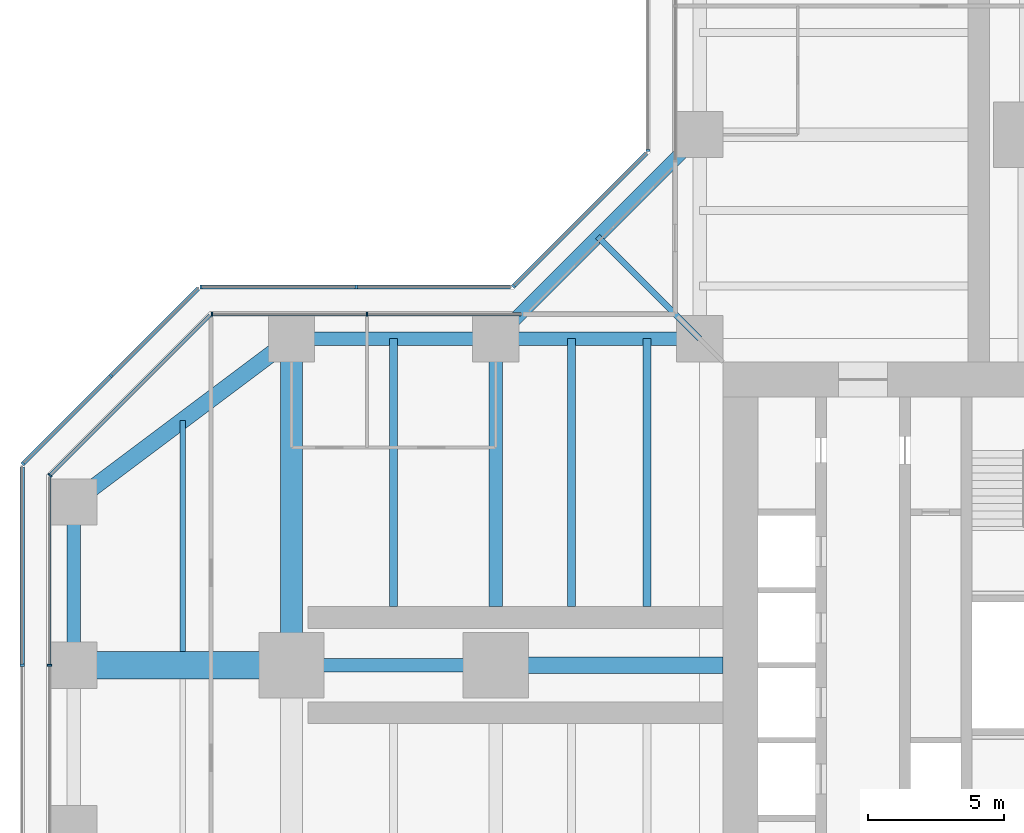
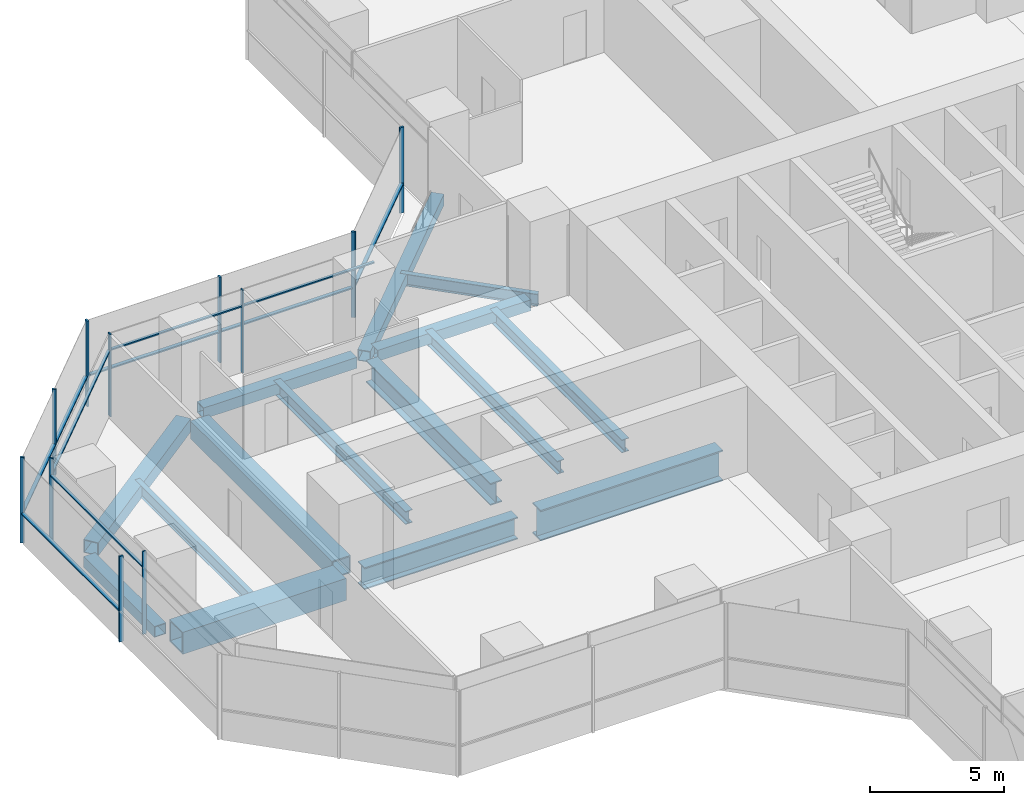
# One storey, part 8 of 22: 21 members, 15 beams, 8 elements without a shape of their own.
"""IFC4 building model written with IfcOpenShell, lengths in metres."""

from ifc_helpers import new_model, si_unit, direction, frame, origin, origin_2d, place, context, subcontext, project, spatial, rectangle, hollow_rectangle, i_section, extrude, material, material_profile, profile_set, type_object, element, aggregate, save


model = new_model("IFC4")

# Units and contexts
model_context = context("Model", 3, precision=1e-05, world=origin(), true_north=direction((0.0, 1.0)))
body_context = subcontext(model_context, "Body", "Model", "MODEL_VIEW")
ifc_project = project(units=[si_unit("LENGTHUNIT", "METRE"), si_unit("AREAUNIT", "SQUARE_METRE"), si_unit("VOLUMEUNIT", "CUBIC_METRE"), si_unit("PLANEANGLEUNIT", "RADIAN"), si_unit("MASSUNIT", "GRAM", prefix="KILO")], contexts=[model_context])

# Site, building, storey
site_placement = place(None, origin())
site = spatial("IfcSite", under=ifc_project, at=site_placement, CompositionType="ELEMENT")
building_placement = place(site_placement, origin())
building = spatial("IfcBuilding", under=site, at=building_placement, Name="Mizan Broadcast Tower", CompositionType="ELEMENT")
storey_placement = place(building_placement, frame((0.0, 0.0, 78.60009765625)))
storey = spatial("IfcBuildingStorey", under=building, at=storey_placement, Name="L16", CompositionType="ELEMENT", Elevation=78.60009765625)

# Beams
ifc_material_1 = material(Name="Steel S355", Category="steel")
ifc_material_profile_1 = material_profile(ifc_material_1, hollow_rectangle(XDim=0.5, YDim=0.5, WallThickness=0.030029296875, at=origin_2d()), Name="BOX 500x500x30")
ifc_profile_set_1 = profile_set([ifc_material_profile_1], Name="Steel S355")
beam_type_1 = type_object("IfcBeamType", Name="EDGE BEAM BOX 500x500x30", PredefinedType="SPANDREL", material=ifc_profile_set_1)
for number, where, z_axis, x_axis, name in (
    (1, (-12.449951171875, 12.0, -0.380126953125), (-1.0, 0.0, 0.0), (0.0, -1.0, 0.0), "Edge beam BOX 500x500x30 L16 west arm"),
    (2, (-19.949951171875, 12.0, -0.380126953125), (-1.0, 0.0, 0.0), (0.0, -1.0, 0.0), "Edge beam BOX 500x500x30 L16 west arm"),
):
    element("IfcBeam", number, at=place(storey_placement, frame(where, z_axis=z_axis, x_axis=x_axis)), inside=storey, type_object=beam_type_1, Name=name, PredefinedType="SPANDREL", context=body_context, shape_type="SweptSolid", body=[
        extrude(hollow_rectangle(XDim=0.5, YDim=0.5, WallThickness=0.030029296875, at=origin_2d()), origin(), (0.0, 0.0, 1.0), 6.60009765625),
    ])
beam_1_placement = place(storey_placement, frame((-35.0, 5.639892578125, -0.380126953125), z_axis=(0.0, -1.0, 0.0), x_axis=(1.0, 0.0, 0.0)))
element("IfcBeam", 3, at=beam_1_placement, inside=storey, type_object=beam_type_1, Name="Edge beam BOX 500x500x30 L16 west arm", PredefinedType="SPANDREL", context=body_context, shape_type="SweptSolid", body=[
    extrude(hollow_rectangle(XDim=0.5, YDim=0.5, WallThickness=0.030029296875, at=origin_2d()), origin(), (0.0, 0.0, 1.0), 5.27978515625),
])
beam_2_placement = place(storey_placement, frame((-12.0, 19.5, -0.380126953125), z_axis=(-0.707106781187, -0.707106781187, 0.0), x_axis=(0.707106781187, -0.707106781187, 0.0)))
element("IfcBeam", 4, at=beam_2_placement, inside=storey, type_object=beam_type_1, Name="Winter garden edge beam L16 N", PredefinedType="SPANDREL", context=body_context, shape_type="SweptSolid", body=[
    extrude(hollow_rectangle(XDim=0.5, YDim=0.5, WallThickness=0.030029296875, at=origin_2d()), origin(), (0.0, 0.0, 1.0), 10.606689453125),
])
ifc_material_2 = material(Name="Steel S355", Category="steel")
ifc_material_profile_2 = material_profile(ifc_material_2, hollow_rectangle(XDim=0.60009765625, YDim=0.60009765625, WallThickness=0.030029296875, at=origin_2d()), Name="BOX 600x600x30")
ifc_profile_set_2 = profile_set([ifc_material_profile_2], Name="Steel S355")
beam_type_2 = type_object("IfcBeamType", Name="EDGE BEAM BOX 600x600x30", PredefinedType="SPANDREL", material=ifc_profile_set_2)
beam_3_placement = place(storey_placement, frame((-27.47998046875, 11.639892578125, -0.43017578125), z_axis=(-0.800013316712, -0.599982243973, 0.0), x_axis=(0.599982243973, -0.800013316712, 0.0)))
element("IfcBeam", 5, at=beam_3_placement, inside=storey, type_object=beam_type_2, Name="Edge beam BOX 600x600x30 L16 west arm", PredefinedType="SPANDREL", context=body_context, shape_type="SweptSolid", body=[
    extrude(hollow_rectangle(XDim=0.60009765625, YDim=0.60009765625, WallThickness=0.030029296875, at=origin_2d()), origin(), (0.0, 0.0, 1.0), 8.7998046875),
])
ifc_material_3 = material(Name="Steel S460", Category="steel")
ifc_material_profile_3 = material_profile(ifc_material_3, hollow_rectangle(XDim=1.0, YDim=1.0, WallThickness=0.06005859375, at=origin_2d()), Name="BOX 1000x1000x60")
ifc_profile_set_3 = profile_set([ifc_material_profile_3], Name="Steel S460")
beam_type_3 = type_object("IfcBeamType", Name="GIRDER BOX 1000x1000x60", PredefinedType="BEAM", material=ifc_profile_set_3)
beam_4_placement = place(storey_placement, frame((-27.47998046875, 0.0, -0.630126953125), z_axis=(-1.0, 0.0, 0.0), x_axis=(0.0, -1.0, 0.0)))
element("IfcBeam", 6, at=beam_4_placement, inside=storey, type_object=beam_type_3, Name="Girder BOX 1000x1000x60 L16 west arm", PredefinedType="BEAM", context=body_context, shape_type="SweptSolid", body=[
    extrude(hollow_rectangle(XDim=1.0, YDim=1.0, WallThickness=0.06005859375, at=origin_2d()), origin(), (0.0, 0.0, 1.0), 7.0400390625),
])
ifc_material_4 = material(Name="Steel S460", Category="steel")
ifc_material_profile_4 = material_profile(ifc_material_4, hollow_rectangle(XDim=0.800048828125, YDim=0.800048828125, WallThickness=0.050048828125, at=origin_2d()), Name="BOX 800x800x50")
ifc_profile_set_4 = profile_set([ifc_material_profile_4], Name="Steel S460")
beam_type_4 = type_object("IfcBeamType", Name="GIRDER BOX 800x800x50", PredefinedType="BEAM", material=ifc_profile_set_4)
beam_5_placement = place(storey_placement, frame((-27.0, 11.280029296875, -0.530029296875), z_axis=(0.0, -1.0, 0.0), x_axis=(1.0, 0.0, 0.0)))
element("IfcBeam", 7, at=beam_5_placement, inside=storey, type_object=beam_type_4, Name="Girder BOX 800x800x50 L16 west arm", PredefinedType="BEAM", context=body_context, shape_type="SweptSolid", body=[
    extrude(hollow_rectangle(XDim=0.800048828125, YDim=0.800048828125, WallThickness=0.050048828125, at=origin_2d()), origin(), (0.0, 0.0, 1.0), 10.56005859375),
])
ifc_material_5 = material(Name="Steel S460", Category="steel")
ifc_material_profile_5 = material_profile(ifc_material_5, i_section(OverallWidth=0.5, OverallDepth=1.0, WebThickness=0.02490234375, FlangeThickness=0.050048828125, at=origin_2d()), Name="WPG 1000x500")
ifc_profile_set_5 = profile_set([ifc_material_profile_5], Name="Steel S460")
beam_type_5 = type_object("IfcBeamType", Name="GIRDER WPG 1000x500", PredefinedType="BEAM", material=ifc_profile_set_5)
beam_6_placement = place(storey_placement, frame((-19.949951171875, 0.0, -0.630126953125), z_axis=(-1.0, 0.0, 0.0), x_axis=(0.0, -1.0, 0.0)))
element("IfcBeam", 8, at=beam_6_placement, inside=storey, type_object=beam_type_5, Name="Girder WPG 1000x500 L16 west arm", PredefinedType="BEAM", context=body_context, shape_type="SweptSolid", body=[
    extrude(i_section(OverallWidth=0.5, OverallDepth=1.0, WebThickness=0.02490234375, FlangeThickness=0.050048828125, at=origin_2d()), origin(), (0.0, 0.0, 1.0), 6.60009765625),
])
beam_7_placement = place(storey_placement, frame((-19.5, 11.408935546875, -0.630126953125), z_axis=(0.0, -1.0, 0.0), x_axis=(1.0, 0.0, 0.0)))
element("IfcBeam", 9, at=beam_7_placement, inside=storey, type_object=beam_type_5, Name="Girder WPG 1000x500 L16 west arm", PredefinedType="BEAM", context=body_context, shape_type="SweptSolid", body=[
    extrude(i_section(OverallWidth=0.5, OverallDepth=1.0, WebThickness=0.02490234375, FlangeThickness=0.050048828125, at=origin_2d()), origin(), (0.0, 0.0, 1.0), 9.259033203125),
])
ifc_material_6 = material(Name="Steel S460", Category="steel")
ifc_material_profile_6 = material_profile(ifc_material_6, i_section(OverallWidth=0.60009765625, OverallDepth=1.39990234375, WebThickness=0.02490234375, FlangeThickness=0.06005859375, at=origin_2d()), Name="WPG 1400x600")
ifc_profile_set_6 = profile_set([ifc_material_profile_6], Name="Steel S460")
beam_type_6 = type_object("IfcBeamType", Name="GIRDER WPG 1400x600", PredefinedType="BEAM", material=ifc_profile_set_6)
beam_8_placement = place(storey_placement, frame((-11.14990234375, 0.0, -0.830078125), z_axis=(-1.0, 0.0, 0.0), x_axis=(0.0, -1.0, 0.0)))
element("IfcBeam", 10, at=beam_8_placement, inside=storey, type_object=beam_type_6, Name="Girder WPG 1400x600 L16 west arm", PredefinedType="BEAM", context=body_context, shape_type="SweptSolid", body=[
    extrude(i_section(OverallWidth=0.60009765625, OverallDepth=1.39990234375, WebThickness=0.02490234375, FlangeThickness=0.06005859375, at=origin_2d()), origin(), (0.0, 0.0, 1.0), 7.84912109375),
])

# Curtain wall, members
ifc_material_7 = material(Name="Aluminium framed glazing", Category="aluminium")
curtain_wall_type_1 = type_object("IfcCurtainWallType", Name="INNER SKIN LOW ZONE", PredefinedType="USERDEFINED", material=ifc_material_7)
curtain_wall_1_placement = place(storey_placement, origin())
curtain_wall_1 = element("IfcCurtainWall", 11, at=curtain_wall_1_placement, inside=storey, type_object=curtain_wall_type_1, Name="Inner skin low zone L16 W side", ObjectType="INNER SKIN LOW ZONE", PredefinedType="USERDEFINED")
ifc_material_8 = material(Name="Aluminium, pale anodised", Category="aluminium")
ifc_material_profile_7 = material_profile(ifc_material_8, rectangle(XDim=0.159912109375, YDim=0.06005859375, at=origin_2d()), Name="MULLION 160x60")
ifc_profile_set_7 = profile_set([ifc_material_profile_7], Name="Aluminium, pale anodised")
member_type_1 = type_object("IfcMemberType", Name="INNER SKIN MULLION 60x160", PredefinedType="MULLION", material=ifc_profile_set_7)
member_1_placement = place(storey_placement, frame((-24.229248046875, 12.89990234375, 0.0), z_axis=(0.0, 0.0, 1.0), x_axis=(0.0, -1.0, 0.0)))
member_1 = element("IfcMember", 12, at=member_1_placement, type_object=member_type_1, Name="Inner skin low zone L16 W side mullion 2", PredefinedType="MULLION", context=body_context, shape_type="SweptSolid", body=[
    extrude(rectangle(XDim=0.159912109375, YDim=0.06005859375, at=origin_2d()), origin(), (0.0, 0.0, 1.0), 3.77001953125),
])
member_2_placement = place(storey_placement, frame((-29.928466796875, 12.89990234375, 0.0), z_axis=(0.0, 0.0, 1.0), x_axis=(0.0, -1.0, 0.0)))
member_2 = element("IfcMember", 13, at=member_2_placement, type_object=member_type_1, Name="Inner skin low zone L16 W side mullion 3", PredefinedType="MULLION", context=body_context, shape_type="SweptSolid", body=[
    extrude(rectangle(XDim=0.159912109375, YDim=0.06005859375, at=origin_2d()), origin(), (0.0, 0.0, 1.0), 3.77001953125),
])

# Curtain wall, member
curtain_wall_2_placement = place(storey_placement, origin())
curtain_wall_2 = element("IfcCurtainWall", 14, at=curtain_wall_2_placement, inside=storey, type_object=curtain_wall_type_1, Name="Inner skin low zone L16 W chamfer", ObjectType="INNER SKIN LOW ZONE", PredefinedType="USERDEFINED")
member_3_placement = place(storey_placement, frame((-35.87890625, 6.979736328125, 0.0), z_axis=(0.0, 0.0, 1.0), x_axis=(0.707106781187, -0.707106781187, 0.0)))
member_3 = element("IfcMember", 15, at=member_3_placement, type_object=member_type_1, Name="Inner skin low zone L16 W chamfer mullion 2", PredefinedType="MULLION", context=body_context, shape_type="SweptSolid", body=[
    extrude(rectangle(XDim=0.159912109375, YDim=0.06005859375, at=origin_2d()), origin(), (0.0, 0.0, 1.0), 3.77001953125),
])

curtain_wall_3_placement = place(storey_placement, origin())
curtain_wall_3 = element("IfcCurtainWall", 16, at=curtain_wall_3_placement, inside=storey, type_object=curtain_wall_type_1, Name="Inner skin low zone L16 W end", ObjectType="INNER SKIN LOW ZONE", PredefinedType="USERDEFINED")
member_4_placement = place(storey_placement, frame((-35.89990234375, 0.0, 0.0), z_axis=(0.0, 0.0, 1.0), x_axis=(1.0, 0.0, 0.0)))
member_4 = element("IfcMember", 17, at=member_4_placement, type_object=member_type_1, Name="Inner skin low zone L16 W end mullion 2", PredefinedType="MULLION", context=body_context, shape_type="SweptSolid", body=[
    extrude(rectangle(XDim=0.159912109375, YDim=0.06005859375, at=origin_2d()), origin(), (0.0, 0.0, 1.0), 3.77001953125),
])

# Member
ifc_material_9 = material(Name="Aluminium, pale anodised", Category="aluminium")
ifc_material_profile_8 = material_profile(ifc_material_9, rectangle(XDim=0.1201171875, YDim=0.06005859375, at=origin_2d()), Name="TRANSOM 120x60")
ifc_profile_set_8 = profile_set([ifc_material_profile_8], Name="Aluminium, pale anodised")
member_type_2 = type_object("IfcMemberType", Name="INNER SKIN TRANSOM 60x120", PredefinedType="USERDEFINED", material=ifc_profile_set_8)
member_5_placement = place(storey_placement, frame((-18.56005859375, 12.89990234375, 3.02978515625), z_axis=(-1.0, 0.0, 0.0), x_axis=(0.0, -1.0, 0.0)))
member_5 = element("IfcMember", 18, at=member_5_placement, type_object=member_type_2, Name="Inner skin low zone L16 W side transom 1.1", ObjectType="TRANSOM", PredefinedType="USERDEFINED", context=body_context, shape_type="SweptSolid", body=[
    extrude(rectangle(XDim=0.1201171875, YDim=0.06005859375, at=origin_2d()), origin(), (0.0, 0.0, 1.0), 5.63916015625),
])

member_6_placement = place(storey_placement, frame((-24.25927734375, 12.89990234375, 3.02978515625), z_axis=(-1.0, 0.0, 0.0), x_axis=(0.0, -1.0, 0.0)))
member_6 = element("IfcMember", 19, at=member_6_placement, type_object=member_type_2, Name="Inner skin low zone L16 W side transom 2.1", ObjectType="TRANSOM", PredefinedType="USERDEFINED", context=body_context, shape_type="SweptSolid", body=[
    extrude(rectangle(XDim=0.1201171875, YDim=0.06005859375, at=origin_2d()), origin(), (0.0, 0.0, 1.0), 5.639404296875),
])

aggregate(curtain_wall_1, [member_1, member_2, member_5, member_6])

member_7_placement = place(storey_placement, frame((-30.0009765625, 12.857666015625, 3.02978515625), z_axis=(-0.707106781187, -0.707106781187, 0.0), x_axis=(0.707106781187, -0.707106781187, 0.0)))
member_7 = element("IfcMember", 20, at=member_7_placement, type_object=member_type_2, Name="Inner skin low zone L16 W chamfer transom 1.1", ObjectType="TRANSOM", PredefinedType="USERDEFINED", context=body_context, shape_type="SweptSolid", body=[
    extrude(rectangle(XDim=0.1201171875, YDim=0.06005859375, at=origin_2d()), origin(), (0.0, 0.0, 1.0), 8.28271484375),
])

aggregate(curtain_wall_2, [member_3, member_7])

member_8_placement = place(storey_placement, frame((-35.89990234375, 6.898681640625, 3.02978515625), z_axis=(0.0, -1.0, 0.0), x_axis=(1.0, 0.0, 0.0)))
member_8 = element("IfcMember", 21, at=member_8_placement, type_object=member_type_2, Name="Inner skin low zone L16 W end transom 1.1", ObjectType="TRANSOM", PredefinedType="USERDEFINED", context=body_context, shape_type="SweptSolid", body=[
    extrude(rectangle(XDim=0.1201171875, YDim=0.06005859375, at=origin_2d()), origin(), (0.0, 0.0, 1.0), 6.86865234375),
])

aggregate(curtain_wall_3, [member_4, member_8])

# Curtain wall, member
ifc_material_10 = material(Name="Aluminium framed glazing", Category="aluminium")
curtain_wall_type_2 = type_object("IfcCurtainWallType", Name="OUTER SKIN", PredefinedType="USERDEFINED", material=ifc_material_10)
curtain_wall_4_placement = place(storey_placement, origin())
curtain_wall_4 = element("IfcCurtainWall", 22, at=curtain_wall_4_placement, inside=storey, type_object=curtain_wall_type_2, Name="Outer skin L16 N side", ObjectType="OUTER SKIN", PredefinedType="USERDEFINED")
ifc_material_11 = material(Name="Aluminium, pale anodised", Category="aluminium")
ifc_material_profile_9 = material_profile(ifc_material_11, rectangle(XDim=0.159912109375, YDim=0.080078125, at=origin_2d()), Name="MULLION 160x80")
ifc_profile_set_9 = profile_set([ifc_material_profile_9], Name="Aluminium, pale anodised")
member_type_3 = type_object("IfcMemberType", Name="OUTER SKIN MULLION 80x160", PredefinedType="MULLION", material=ifc_profile_set_9)
member_9_placement = place(storey_placement, frame((-13.89990234375, 18.912841796875, 0.0), z_axis=(0.0, 0.0, 1.0), x_axis=(1.0, 0.0, 0.0)))
member_9 = element("IfcMember", 23, at=member_9_placement, type_object=member_type_3, Name="Outer skin L16 N side mullion 3", PredefinedType="MULLION", context=body_context, shape_type="SweptSolid", body=[
    extrude(rectangle(XDim=0.159912109375, YDim=0.080078125, at=origin_2d()), origin(), (0.0, 0.0, 1.0), 3.89990234375),
])
aggregate(curtain_wall_4, [member_9])

curtain_wall_5_placement = place(storey_placement, origin())
curtain_wall_5 = element("IfcCurtainWall", 24, at=curtain_wall_5_placement, inside=storey, type_object=curtain_wall_type_2, Name="Outer skin L16 W chamfer", ObjectType="OUTER SKIN", PredefinedType="USERDEFINED")
member_10_placement = place(storey_placement, frame((-18.844482421875, 13.92822265625, 0.0), z_axis=(0.0, 0.0, 1.0), x_axis=(0.707106781187, -0.707106781187, 0.0)))
member_10 = element("IfcMember", 25, at=member_10_placement, type_object=member_type_3, Name="Outer skin L16 W chamfer mullion 2", PredefinedType="MULLION", context=body_context, shape_type="SweptSolid", body=[
    extrude(rectangle(XDim=0.159912109375, YDim=0.080078125, at=origin_2d()), origin(), (0.0, 0.0, 1.0), 3.89990234375),
])

# Curtain wall, members
curtain_wall_6_placement = place(storey_placement, origin())
curtain_wall_6 = element("IfcCurtainWall", 26, at=curtain_wall_6_placement, inside=storey, type_object=curtain_wall_type_2, Name="Outer skin L16 W side", ObjectType="OUTER SKIN", PredefinedType="USERDEFINED")
member_11_placement = place(storey_placement, frame((-24.622802734375, 13.89990234375, 0.0), z_axis=(0.0, 0.0, 1.0), x_axis=(0.0, -1.0, 0.0)))
member_11 = element("IfcMember", 27, at=member_11_placement, type_object=member_type_3, Name="Outer skin L16 W side mullion 2", PredefinedType="MULLION", context=body_context, shape_type="SweptSolid", body=[
    extrude(rectangle(XDim=0.159912109375, YDim=0.080078125, at=origin_2d()), origin(), (0.0, 0.0, 1.0), 3.89990234375),
])
member_12_placement = place(storey_placement, frame((-30.332763671875, 13.89990234375, 0.0), z_axis=(0.0, 0.0, 1.0), x_axis=(0.0, -1.0, 0.0)))
member_12 = element("IfcMember", 28, at=member_12_placement, type_object=member_type_3, Name="Outer skin L16 W side mullion 3", PredefinedType="MULLION", context=body_context, shape_type="SweptSolid", body=[
    extrude(rectangle(XDim=0.159912109375, YDim=0.080078125, at=origin_2d()), origin(), (0.0, 0.0, 1.0), 3.89990234375),
])

curtain_wall_7_placement = place(storey_placement, origin())
curtain_wall_7 = element("IfcCurtainWall", 29, at=curtain_wall_7_placement, inside=storey, type_object=curtain_wall_type_2, Name="Outer skin L16 W chamfer", ObjectType="OUTER SKIN", PredefinedType="USERDEFINED")
member_13_placement = place(storey_placement, frame((-33.636474609375, 10.636474609375, 0.0), z_axis=(0.0, 0.0, 1.0), x_axis=(0.707106781187, -0.707106781187, 0.0)))
member_13 = element("IfcMember", 30, at=member_13_placement, type_object=member_type_3, Name="Outer skin L16 W chamfer mullion 2", PredefinedType="MULLION", context=body_context, shape_type="SweptSolid", body=[
    extrude(rectangle(XDim=0.159912109375, YDim=0.080078125, at=origin_2d()), origin(), (0.0, 0.0, 1.0), 3.89990234375),
])
member_14_placement = place(storey_placement, frame((-36.871826171875, 7.401123046875, 0.0), z_axis=(0.0, 0.0, 1.0), x_axis=(0.707106781187, -0.707106781187, 0.0)))
member_14 = element("IfcMember", 31, at=member_14_placement, type_object=member_type_3, Name="Outer skin L16 W chamfer mullion 3", PredefinedType="MULLION", context=body_context, shape_type="SweptSolid", body=[
    extrude(rectangle(XDim=0.159912109375, YDim=0.080078125, at=origin_2d()), origin(), (0.0, 0.0, 1.0), 3.89990234375),
])

# Curtain wall, member
curtain_wall_8_placement = place(storey_placement, origin())
curtain_wall_8 = element("IfcCurtainWall", 32, at=curtain_wall_8_placement, inside=storey, type_object=curtain_wall_type_2, Name="Outer skin L16 W end", ObjectType="OUTER SKIN", PredefinedType="USERDEFINED")
member_15_placement = place(storey_placement, frame((-36.89990234375, 0.0, 0.0), z_axis=(0.0, 0.0, 1.0), x_axis=(1.0, 0.0, 0.0)))
member_15 = element("IfcMember", 33, at=member_15_placement, type_object=member_type_3, Name="Outer skin L16 W end mullion 2", PredefinedType="MULLION", context=body_context, shape_type="SweptSolid", body=[
    extrude(rectangle(XDim=0.159912109375, YDim=0.080078125, at=origin_2d()), origin(), (0.0, 0.0, 1.0), 3.89990234375),
])

# Member
ifc_material_12 = material(Name="Aluminium, pale anodised", Category="aluminium")
ifc_material_profile_10 = material_profile(ifc_material_12, rectangle(XDim=0.159912109375, YDim=0.06005859375, at=origin_2d()), Name="TRANSOM 160x60")
ifc_profile_set_10 = profile_set([ifc_material_profile_10], Name="Aluminium, pale anodised")
member_type_4 = type_object("IfcMemberType", Name="OUTER SKIN TRANSOM 60x160", PredefinedType="USERDEFINED", material=ifc_profile_set_10)
member_16_placement = place(storey_placement, frame((-13.95654296875, 18.816162109375, 1.39990234375), z_axis=(-0.707106781187, -0.707106781187, 0.0), x_axis=(0.707106781187, -0.707106781187, 0.0)))
member_16 = element("IfcMember", 34, at=member_16_placement, type_object=member_type_4, Name="Outer skin L16 W chamfer transom 1.1", ObjectType="TRANSOM", PredefinedType="USERDEFINED", context=body_context, shape_type="SweptSolid", body=[
    extrude(rectangle(XDim=0.159912109375, YDim=0.06005859375, at=origin_2d()), origin(), (0.0, 0.0, 1.0), 6.87255859375),
])

aggregate(curtain_wall_5, [member_10, member_16])

member_17_placement = place(storey_placement, frame((-18.952880859375, 13.89990234375, 1.39990234375), z_axis=(-1.0, 0.0, 0.0), x_axis=(0.0, -1.0, 0.0)))
member_17 = element("IfcMember", 35, at=member_17_placement, type_object=member_type_4, Name="Outer skin L16 W side transom 1.1", ObjectType="TRANSOM", PredefinedType="USERDEFINED", context=body_context, shape_type="SweptSolid", body=[
    extrude(rectangle(XDim=0.159912109375, YDim=0.06005859375, at=origin_2d()), origin(), (0.0, 0.0, 1.0), 5.6298828125),
])

member_18_placement = place(storey_placement, frame((-24.662841796875, 13.89990234375, 1.39990234375), z_axis=(-1.0, 0.0, 0.0), x_axis=(0.0, -1.0, 0.0)))
member_18 = element("IfcMember", 36, at=member_18_placement, type_object=member_type_4, Name="Outer skin L16 W side transom 2.1", ObjectType="TRANSOM", PredefinedType="USERDEFINED", context=body_context, shape_type="SweptSolid", body=[
    extrude(rectangle(XDim=0.159912109375, YDim=0.06005859375, at=origin_2d()), origin(), (0.0, 0.0, 1.0), 5.6298828125),
])

aggregate(curtain_wall_6, [member_11, member_12, member_17, member_18])

member_19_placement = place(storey_placement, frame((-30.429443359375, 13.843505859375, 1.39990234375), z_axis=(-0.707106781187, -0.707106781187, 0.0), x_axis=(0.707106781187, -0.707106781187, 0.0)))
member_19 = element("IfcMember", 37, at=member_19_placement, type_object=member_type_4, Name="Outer skin L16 W chamfer transom 1.1", ObjectType="TRANSOM", PredefinedType="USERDEFINED", context=body_context, shape_type="SweptSolid", body=[
    extrude(rectangle(XDim=0.159912109375, YDim=0.06005859375, at=origin_2d()), origin(), (0.0, 0.0, 1.0), 4.495361328125),
])

member_20_placement = place(storey_placement, frame((-33.664794921875, 10.608154296875, 1.39990234375), z_axis=(-0.707106781187, -0.707106781187, 0.0), x_axis=(0.707106781187, -0.707106781187, 0.0)))
member_20 = element("IfcMember", 38, at=member_20_placement, type_object=member_type_4, Name="Outer skin L16 W chamfer transom 2.1", ObjectType="TRANSOM", PredefinedType="USERDEFINED", context=body_context, shape_type="SweptSolid", body=[
    extrude(rectangle(XDim=0.159912109375, YDim=0.06005859375, at=origin_2d()), origin(), (0.0, 0.0, 1.0), 4.495361328125),
])

aggregate(curtain_wall_7, [member_13, member_14, member_19, member_20])

member_21_placement = place(storey_placement, frame((-36.89990234375, 7.292724609375, 1.39990234375), z_axis=(0.0, -1.0, 0.0), x_axis=(1.0, 0.0, 0.0)))
member_21 = element("IfcMember", 39, at=member_21_placement, type_object=member_type_4, Name="Outer skin L16 W end transom 1.1", ObjectType="TRANSOM", PredefinedType="USERDEFINED", context=body_context, shape_type="SweptSolid", body=[
    extrude(rectangle(XDim=0.159912109375, YDim=0.06005859375, at=origin_2d()), origin(), (0.0, 0.0, 1.0), 7.252685546875),
])

aggregate(curtain_wall_8, [member_15, member_21])

# Beams
ifc_material_13 = material(Name="Steel S355", Category="steel")
ifc_material_profile_11 = material_profile(ifc_material_13, i_section(OverallWidth=0.300048828125, OverallDepth=0.590087890625, WebThickness=0.012939453125, FlangeThickness=0.02490234375, FilletRadius=0.027099609375, at=origin_2d()), Name="HEA 600")
ifc_profile_set_11 = profile_set([ifc_material_profile_11], Name="Steel S355")
beam_type_7 = type_object("IfcBeamType", Name="SECONDARY BEAM HEA 600", PredefinedType="JOIST", material=ifc_profile_set_11)
for number, where, z_axis, x_axis, name in (
    (40, (-13.933349609375, 12.0, -0.425048828125), (0.0, -1.0, 0.0), (1.0, 0.0, 0.0), "Secondary beam HEA 600 L16 west arm"),
    (41, (-16.716552734375, 12.0, -0.425048828125), (0.0, -1.0, 0.0), (1.0, 0.0, 0.0), "Secondary beam HEA 600 L16 west arm"),
    (42, (-23.25, 12.0, -0.425048828125), (0.0, -1.0, 0.0), (1.0, 0.0, 0.0), "Secondary beam HEA 600 L16 west arm"),
):
    element("IfcBeam", number, at=place(storey_placement, frame(where, z_axis=z_axis, x_axis=x_axis)), inside=storey, type_object=beam_type_7, Name=name, PredefinedType="JOIST", context=body_context, shape_type="SweptSolid", body=[
        extrude(i_section(OverallWidth=0.300048828125, OverallDepth=0.590087890625, WebThickness=0.012939453125, FlangeThickness=0.02490234375, FilletRadius=0.027099609375, at=origin_2d()), origin(), (0.0, 0.0, 1.0), 9.85009765625),
    ])
ifc_material_14 = material(Name="Steel S355", Category="steel")
ifc_material_profile_12 = material_profile(ifc_material_14, i_section(OverallWidth=0.2099609375, OverallDepth=0.550048828125, WebThickness=0.010986328125, FlangeThickness=0.01708984375, FilletRadius=0.02392578125, at=origin_2d()), Name="IPE 550")
ifc_profile_set_12 = profile_set([ifc_material_profile_12], Name="Steel S355")
beam_type_8 = type_object("IfcBeamType", Name="SECONDARY BEAM IPE 550", PredefinedType="JOIST", material=ifc_profile_set_12)
beam_9_placement = place(storey_placement, frame((-31.0, 9.0, -0.405029296875), z_axis=(0.0, -1.0, 0.0), x_axis=(1.0, 0.0, 0.0)))
element("IfcBeam", 43, at=beam_9_placement, inside=storey, type_object=beam_type_8, Name="Secondary beam IPE 550 L16 west arm", PredefinedType="JOIST", context=body_context, shape_type="SweptSolid", body=[
    extrude(i_section(OverallWidth=0.2099609375, OverallDepth=0.550048828125, WebThickness=0.010986328125, FlangeThickness=0.01708984375, FilletRadius=0.02392578125, at=origin_2d()), origin(), (0.0, 0.0, 1.0), 8.5),
])
beam_10_placement = place(storey_placement, frame((-12.0, 12.0, -0.405029296875), z_axis=(-0.707106781187, 0.707106781187, 0.0), x_axis=(-0.707106781187, -0.707106781187, 0.0)))
element("IfcBeam", 44, at=beam_10_placement, inside=storey, type_object=beam_type_8, Name="Winter garden beam L16 N", PredefinedType="JOIST", context=body_context, shape_type="SweptSolid", body=[
    extrude(i_section(OverallWidth=0.2099609375, OverallDepth=0.550048828125, WebThickness=0.010986328125, FlangeThickness=0.01708984375, FilletRadius=0.02392578125, at=origin_2d()), origin(), (0.0, 0.0, 1.0), 5.30322265625),
])

save(model, "model.ifc")
